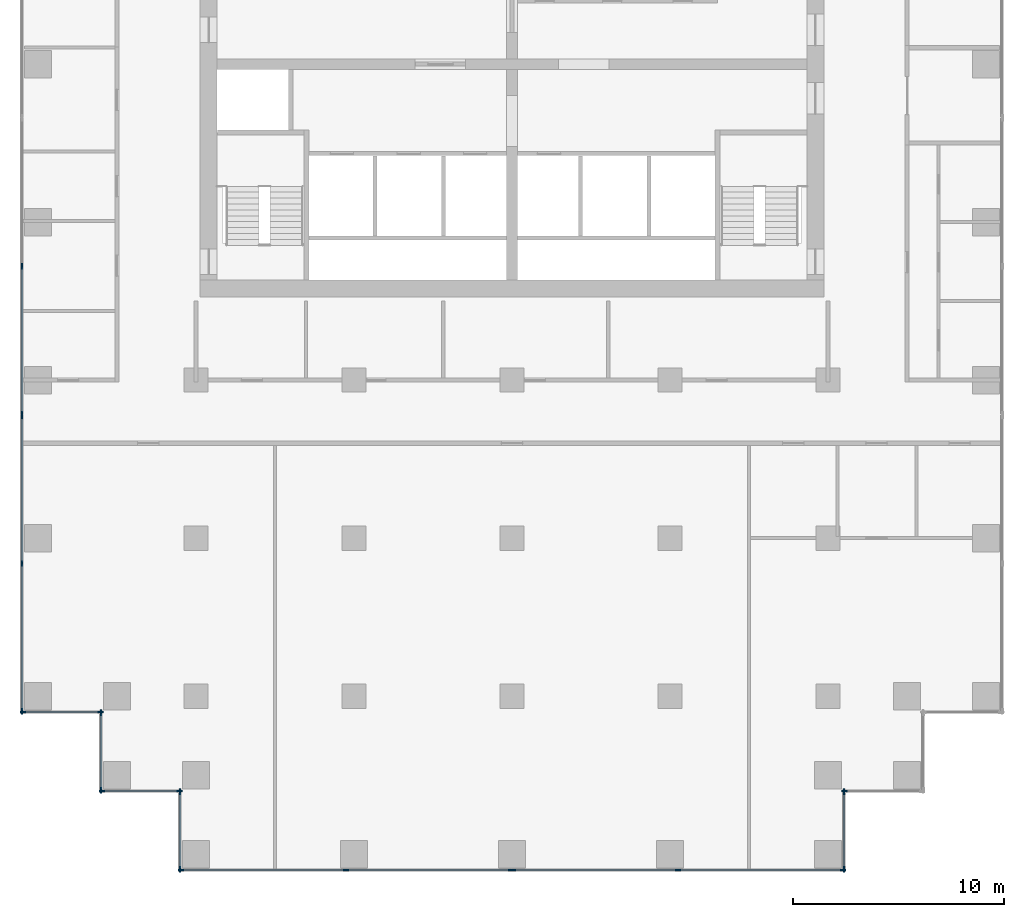
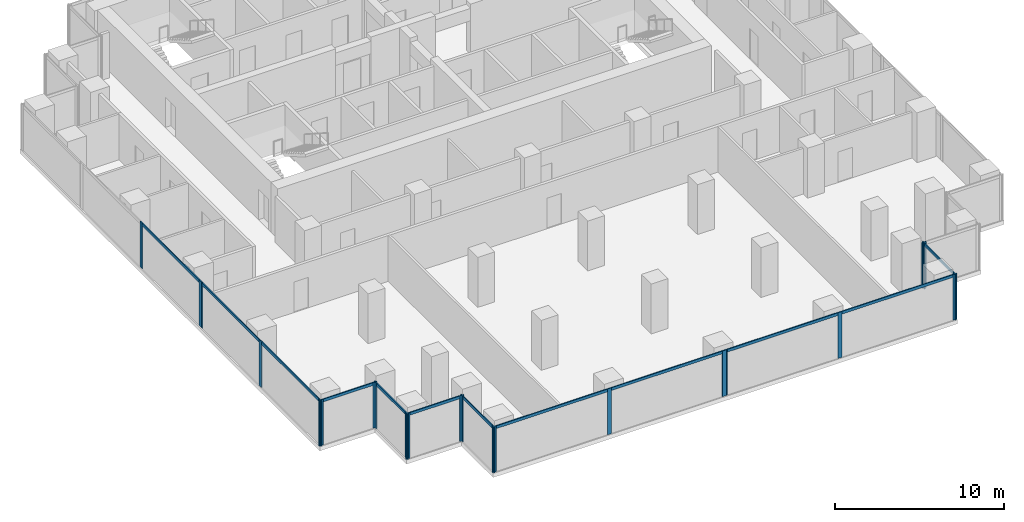
# One storey, part 2 of 10: 34 members, 10 elements without a shape of their own.
"""IFC4 building model written with IfcOpenShell, lengths in metres."""

import ifcopenshell
import ifcopenshell.guid

model = None  # the IFC model being written
_history = None  # IfcOwnerHistory: only IFC2X3 demands one
_inside = {}  # id of a spatial element -> (the spatial element, [elements in it])
_under = {}  # id of a project, library or spatial element -> (it, [spatial elements below it])
_declared = {}  # id of a project -> (the project, [libraries it declares])
_typed = {}  # id of a type object -> (the type object, [elements of that type])
_made_of = {}  # id of a material, layer set ... -> (it, [elements and type objects made of it])


def new_model(schema):
    """Start an empty IFC model of exactly this schema.

    Asked for "IFC4X3", IfcOpenShell would pick the latest addendum, in which some entities
    have other attributes; the version numbers below select the first issue.
    IFC2X3 requires an IfcOwnerHistory on every rooted entity: one is made here for all.
    """
    global model, _history
    if schema == "IFC4X3":
        model = ifcopenshell.file(schema_version=(4, 3, 0, 0))
    else:
        model = ifcopenshell.file(schema=schema)
    _inside.clear()
    _under.clear()
    _declared.clear()
    _typed.clear()
    _made_of.clear()
    _history = None
    if model.schema == "IFC2X3":
        org = make("IfcOrganization", Name="unknown")
        user = make(
            "IfcPersonAndOrganization",
            ThePerson=make("IfcPerson", FamilyName="unknown"),
            TheOrganization=org,
        )
        app = make(
            "IfcApplication",
            ApplicationDeveloper=org,
            Version="unknown",
            ApplicationFullName="unknown",
            ApplicationIdentifier="unknown",
        )
        _history = make(
            "IfcOwnerHistory",
            OwningUser=user,
            OwningApplication=app,
            ChangeAction="ADDED",
            CreationDate=0,
        )
    return model


def make(cls, **values):
    """One entity of the class cls with the attributes given. An attribute that is None is left unset."""
    return model.create_entity(
        cls, **{name: value for name, value in values.items() if value is not None}
    )


def rooted(cls, **values):
    """An entity with a GlobalId (a new one), such as an element, a storey or a relation."""
    return make(cls, GlobalId=ifcopenshell.guid.new(), OwnerHistory=_history, **values)


def si_unit(unit_type, name, prefix=None):
    """IfcSIUnit, for example si_unit("LENGTHUNIT", "METRE", prefix="MILLI")."""
    return make("IfcSIUnit", UnitType=unit_type, Prefix=prefix, Name=name)


def assignment(units):
    """IfcUnitAssignment: the units of a project."""
    return None if units is None else make("IfcUnitAssignment", Units=units)


def point(xyz):
    """IfcCartesianPoint."""
    return None if xyz is None else make("IfcCartesianPoint", Coordinates=xyz)


def direction(xyz):
    """IfcDirection."""
    return None if xyz is None else make("IfcDirection", DirectionRatios=xyz)


def frame(location, z_axis=None, x_axis=None):
    """IfcAxis2Placement3D, a coordinate frame: its origin and axes. An axis left out is left unset."""
    return make(
        "IfcAxis2Placement3D",
        Location=point(location),
        Axis=direction(z_axis),
        RefDirection=direction(x_axis),
    )


def frame_2d(location, x_axis=None):
    """IfcAxis2Placement2D, a coordinate frame in the plane: its origin and x axis."""
    return make(
        "IfcAxis2Placement2D", Location=point(location), RefDirection=direction(x_axis)
    )


def origin():
    """The frame at (0, 0, 0) with its axes left unset."""
    return frame((0.0, 0.0, 0.0))


def origin_2d():
    """The frame at (0, 0) in the plane with its x axis left unset."""
    return frame_2d((0.0, 0.0))


def place(relative_to, where):
    """IfcLocalPlacement: puts the frame where relative to a parent placement (None: the world)."""
    return make(
        "IfcLocalPlacement", PlacementRelTo=relative_to, RelativePlacement=where
    )


def context(
    kind, dimensions, precision=None, world=None, true_north=None, identifier=None
):
    """IfcGeometricRepresentationContext, for example the 3D "Model" context."""
    return make(
        "IfcGeometricRepresentationContext",
        ContextIdentifier=identifier,
        ContextType=kind,
        CoordinateSpaceDimension=dimensions,
        Precision=precision,
        WorldCoordinateSystem=world,
        TrueNorth=true_north,
    )


def subcontext(parent, identifier, kind, view, scale=None):
    """IfcGeometricRepresentationSubContext, for example "Body" below "Model"."""
    return make(
        "IfcGeometricRepresentationSubContext",
        ContextIdentifier=identifier,
        ContextType=kind,
        ParentContext=parent,
        TargetScale=scale,
        TargetView=view,
    )


def project(units=None, contexts=None):
    """IfcProject with its units and contexts."""
    return rooted(
        "IfcProject",
        Name="project",
        RepresentationContexts=contexts,
        UnitsInContext=assignment(units),
    )


def spatial(cls, under=None, at=None, **own):
    """A site, building, storey or space (cls), placed at a placement, below another one or the project."""
    s = rooted(cls, ObjectPlacement=at, **own)
    if under is not None:
        _under.setdefault(under.id(), (under, []))[1].append(s)
    return s


def profile(cls, at=None, kind="AREA", **sizes):
    """A parametric profile (cls). Its sizes go by their IFC names, for example OverallWidth=200.0."""
    return make(cls, ProfileType=kind, Position=at, **sizes)


def rectangle(**sizes):
    """IfcRectangleProfileDef."""
    return profile("IfcRectangleProfileDef", **sizes)


def extrude(swept, where, along, depth):
    """IfcExtrudedAreaSolid: the profile swept, set in the frame where, extruded along a direction by depth."""
    return make(
        "IfcExtrudedAreaSolid",
        SweptArea=swept,
        Position=where,
        ExtrudedDirection=direction(along),
        Depth=depth,
    )


def shape(context_of_items, identifier, shape_type, items):
    """IfcShapeRepresentation: the items that make up one representation, for example the "Body"."""
    return make(
        "IfcShapeRepresentation",
        ContextOfItems=context_of_items,
        RepresentationIdentifier=identifier,
        RepresentationType=shape_type,
        Items=items,
    )


def material(Name=None, Category=None):
    """IfcMaterial."""
    return make("IfcMaterial", Name=Name, Category=Category)


def material_profile(
    of_material, cross_section, Name=None, Category=None, Priority=None
):
    """IfcMaterialProfile: a cross section and its material."""
    return make(
        "IfcMaterialProfile",
        Name=Name,
        Material=of_material,
        Profile=cross_section,
        Priority=Priority,
        Category=Category,
    )


def profile_set(profiles, Name=None, composite=None):
    """IfcMaterialProfileSet."""
    return make(
        "IfcMaterialProfileSet",
        Name=Name,
        MaterialProfiles=profiles,
        CompositeProfile=composite,
    )


def made_of(thing, what):
    """Note that an element or type object is made of a material, layer set ...; save() writes the relation."""
    if what is not None:
        _made_of.setdefault(what.id(), (what, []))[1].append(thing)
    return thing


def type_object(cls, material=None, **own):
    """A type object (cls), such as IfcWallType, which elements share."""
    return made_of(rooted(cls, **own), material)


def element(
    cls,
    number,
    at=None,
    inside=None,
    cuts=None,
    type_object=None,
    material=None,
    context=None,
    identifier="Body",
    shape_type=None,
    held_by="IfcProductDefinitionShape",
    body=None,
    shapes=None,
    **own,
):
    """One element of the class cls, such as IfcWall. Its Tag is "e" and its number.

    at: its placement. inside: the storey or other place that contains it. cuts: it is an
    opening in that element (IfcRelVoidsElement). A single representation is given by context,
    identifier, shape_type and body (its items); several are given by shapes. held_by: the class
    of the entity that holds the representations. save() writes the other relations.
    """
    e = rooted(cls, Tag="e%d" % number, ObjectPlacement=at, **own)
    if body is not None:
        shapes = [shape(context, identifier, shape_type, body)]
    if shapes is not None:
        e.Representation = make(held_by, Representations=shapes)
    if inside is not None:
        _inside.setdefault(inside.id(), (inside, []))[1].append(e)
    if cuts is not None:
        rooted(
            "IfcRelVoidsElement", RelatingBuildingElement=cuts, RelatedOpeningElement=e
        )
    if type_object is not None:
        _typed.setdefault(type_object.id(), (type_object, []))[1].append(e)
    return made_of(e, material)


def aggregate(whole, parts):
    """IfcRelAggregates: a whole, such as a stair, and the parts it consists of."""
    return rooted("IfcRelAggregates", RelatingObject=whole, RelatedObjects=parts)


def save(model, path):
    """Write the relations noted so far, then the file.

    IfcRelAggregates (storeys below a building ...), IfcRelContainedInSpatialStructure (elements
    in a storey), IfcRelDefinesByType, IfcRelAssociatesMaterial and IfcRelDeclares: one each for
    every whole, place, type object, material and project.
    """
    for whole, parts in _under.values():
        aggregate(whole, parts)
    for where, things in _inside.values():
        rooted(
            "IfcRelContainedInSpatialStructure",
            RelatedElements=things,
            RelatingStructure=where,
        )
    for kind, things in _typed.values():
        rooted("IfcRelDefinesByType", RelatedObjects=things, RelatingType=kind)
    for what, things in _made_of.values():
        rooted("IfcRelAssociatesMaterial", RelatedObjects=things, RelatingMaterial=what)
    for by, libraries in _declared.values():
        rooted("IfcRelDeclares", RelatingContext=by, RelatedDefinitions=libraries)
    model.write(path)


model = new_model("IFC4")

# Units and contexts
model_context = context("Model", 3, precision=1e-05, world=origin(), true_north=direction((0.0, 1.0)))
body_context = subcontext(model_context, "Body", "Model", "MODEL_VIEW")
ifc_project = project(units=[si_unit("LENGTHUNIT", "METRE"), si_unit("AREAUNIT", "SQUARE_METRE"), si_unit("VOLUMEUNIT", "CUBIC_METRE"), si_unit("PLANEANGLEUNIT", "RADIAN"), si_unit("MASSUNIT", "GRAM", prefix="KILO")], contexts=[model_context])

# Site, building, storey
site_placement = place(None, origin())
site = spatial("IfcSite", under=ifc_project, at=site_placement, CompositionType="ELEMENT")
building_placement = place(site_placement, origin())
building = spatial("IfcBuilding", under=site, at=building_placement, Name="Pilkhan Gate Tower", CompositionType="ELEMENT")
storey_placement = place(building_placement, frame((0.0, 0.0, 114.39990234375)))
storey = spatial("IfcBuildingStorey", under=building, at=storey_placement, Name="L28", CompositionType="ELEMENT", Elevation=114.39990234375)

# Curtain wall, members
ifc_material_1 = material(Name="Pale anodised aluminium, clear low-iron double glazing", Category="aluminium")
curtain_wall_type = type_object("IfcCurtainWallType", Name="Office unitised curtain wall CW-O1", PredefinedType="USERDEFINED", material=ifc_material_1)
curtain_wall_1_placement = place(storey_placement, origin())
curtain_wall_1 = element("IfcCurtainWall", 1, at=curtain_wall_1_placement, inside=storey, type_object=curtain_wall_type, Name="Office unitised curtain wall CW-O1 L28 W", ObjectType="UNITISED CURTAIN WALL", PredefinedType="USERDEFINED")
ifc_material_2 = material(Name="Pale anodised aluminium", Category="aluminium")
ifc_material_profile_1 = material_profile(ifc_material_2, rectangle(XDim=0.070068359375, YDim=0.27490234375, at=origin_2d()), Name="Mullion 275x70")
ifc_profile_set_1 = profile_set([ifc_material_profile_1], Name="Pale anodised aluminium")
member_type_1 = type_object("IfcMemberType", Name="Mullion CW-O1 275x70", PredefinedType="MULLION", material=ifc_profile_set_1)
member_1_placement = place(storey_placement, frame((51.75, 51.784912109375, 0.0), z_axis=(0.0, 0.0, 1.0), x_axis=(-1.0, 0.0, 0.0)))
member_1 = element("IfcMember", 2, at=member_1_placement, type_object=member_type_1, Name="CW-O1 mullion 1", PredefinedType="MULLION", context=body_context, shape_type="SweptSolid", body=[
    extrude(rectangle(XDim=0.070068359375, YDim=0.27490234375, at=origin_2d()), origin(), (0.0, 0.0, 1.0), 3.300048828125),
])
member_2_placement = place(storey_placement, frame((51.75, 58.800048828125, 0.0), z_axis=(0.0, 0.0, 1.0), x_axis=(-1.0, 0.0, 0.0)))
member_2 = element("IfcMember", 3, at=member_2_placement, type_object=member_type_1, Name="CW-O1 mullion 2", PredefinedType="MULLION", context=body_context, shape_type="SweptSolid", body=[
    extrude(rectangle(XDim=0.070068359375, YDim=0.27490234375, at=origin_2d()), origin(), (0.0, 0.0, 1.0), 3.300048828125),
])
member_3_placement = place(storey_placement, frame((51.75, 65.81494140625, 0.0), z_axis=(0.0, 0.0, 1.0), x_axis=(-1.0, 0.0, 0.0)))
member_3 = element("IfcMember", 4, at=member_3_placement, type_object=member_type_1, Name="CW-O1 mullion 3", PredefinedType="MULLION", context=body_context, shape_type="SweptSolid", body=[
    extrude(rectangle(XDim=0.070068359375, YDim=0.27490234375, at=origin_2d()), origin(), (0.0, 0.0, 1.0), 3.300048828125),
])

curtain_wall_2_placement = place(storey_placement, origin())
curtain_wall_2 = element("IfcCurtainWall", 5, at=curtain_wall_2_placement, inside=storey, type_object=curtain_wall_type, Name="Office unitised curtain wall CW-O1 L28 W", ObjectType="UNITISED CURTAIN WALL", PredefinedType="USERDEFINED")
member_4_placement = place(storey_placement, frame((51.75, 65.885009765625, 0.0), z_axis=(0.0, 0.0, 1.0), x_axis=(-1.0, 0.0, 0.0)))
member_4 = element("IfcMember", 6, at=member_4_placement, type_object=member_type_1, Name="CW-O1 mullion 1", PredefinedType="MULLION", context=body_context, shape_type="SweptSolid", body=[
    extrude(rectangle(XDim=0.070068359375, YDim=0.27490234375, at=origin_2d()), origin(), (0.0, 0.0, 1.0), 3.300048828125),
])
member_5_placement = place(storey_placement, frame((51.75, 72.89990234375, 0.0), z_axis=(0.0, 0.0, 1.0), x_axis=(-1.0, 0.0, 0.0)))
member_5 = element("IfcMember", 7, at=member_5_placement, type_object=member_type_1, Name="CW-O1 mullion 2", PredefinedType="MULLION", context=body_context, shape_type="SweptSolid", body=[
    extrude(rectangle(XDim=0.070068359375, YDim=0.27490234375, at=origin_2d()), origin(), (0.0, 0.0, 1.0), 3.300048828125),
])

curtain_wall_3_placement = place(storey_placement, origin())
curtain_wall_3 = element("IfcCurtainWall", 8, at=curtain_wall_3_placement, inside=storey, type_object=curtain_wall_type, Name="Office unitised curtain wall CW-O1 L28 S", ObjectType="UNITISED CURTAIN WALL", PredefinedType="USERDEFINED")
member_6_placement = place(storey_placement, frame((51.784912109375, 51.75, 0.0), z_axis=(0.0, 0.0, 1.0), x_axis=(0.0, 1.0, 0.0)))
member_6 = element("IfcMember", 9, at=member_6_placement, type_object=member_type_1, Name="CW-O1 mullion 1", PredefinedType="MULLION", context=body_context, shape_type="SweptSolid", body=[
    extrude(rectangle(XDim=0.070068359375, YDim=0.27490234375, at=origin_2d()), origin(), (0.0, 0.0, 1.0), 3.300048828125),
])
member_7_placement = place(storey_placement, frame((55.465087890625, 51.75, 0.0), z_axis=(0.0, 0.0, 1.0), x_axis=(0.0, 1.0, 0.0)))
member_7 = element("IfcMember", 10, at=member_7_placement, type_object=member_type_1, Name="CW-O1 mullion 2", PredefinedType="MULLION", context=body_context, shape_type="SweptSolid", body=[
    extrude(rectangle(XDim=0.070068359375, YDim=0.27490234375, at=origin_2d()), origin(), (0.0, 0.0, 1.0), 3.300048828125),
])

curtain_wall_4_placement = place(storey_placement, origin())
curtain_wall_4 = element("IfcCurtainWall", 11, at=curtain_wall_4_placement, inside=storey, type_object=curtain_wall_type, Name="Office unitised curtain wall CW-O1 L28 W", ObjectType="UNITISED CURTAIN WALL", PredefinedType="USERDEFINED")
member_8_placement = place(storey_placement, frame((55.5, 48.034912109375, 0.0), z_axis=(0.0, 0.0, 1.0), x_axis=(-1.0, 0.0, 0.0)))
member_8 = element("IfcMember", 12, at=member_8_placement, type_object=member_type_1, Name="CW-O1 mullion 1", PredefinedType="MULLION", context=body_context, shape_type="SweptSolid", body=[
    extrude(rectangle(XDim=0.070068359375, YDim=0.27490234375, at=origin_2d()), origin(), (0.0, 0.0, 1.0), 3.300048828125),
])
member_9_placement = place(storey_placement, frame((55.5, 51.715087890625, 0.0), z_axis=(0.0, 0.0, 1.0), x_axis=(-1.0, 0.0, 0.0)))
member_9 = element("IfcMember", 13, at=member_9_placement, type_object=member_type_1, Name="CW-O1 mullion 2", PredefinedType="MULLION", context=body_context, shape_type="SweptSolid", body=[
    extrude(rectangle(XDim=0.070068359375, YDim=0.27490234375, at=origin_2d()), origin(), (0.0, 0.0, 1.0), 3.300048828125),
])

curtain_wall_5_placement = place(storey_placement, origin())
curtain_wall_5 = element("IfcCurtainWall", 14, at=curtain_wall_5_placement, inside=storey, type_object=curtain_wall_type, Name="Office unitised curtain wall CW-O1 L28 S", ObjectType="UNITISED CURTAIN WALL", PredefinedType="USERDEFINED")
member_10_placement = place(storey_placement, frame((55.534912109375, 48.0, 0.0), z_axis=(0.0, 0.0, 1.0), x_axis=(0.0, 1.0, 0.0)))
member_10 = element("IfcMember", 15, at=member_10_placement, type_object=member_type_1, Name="CW-O1 mullion 1", PredefinedType="MULLION", context=body_context, shape_type="SweptSolid", body=[
    extrude(rectangle(XDim=0.070068359375, YDim=0.27490234375, at=origin_2d()), origin(), (0.0, 0.0, 1.0), 3.300048828125),
])
member_11_placement = place(storey_placement, frame((59.215087890625, 48.0, 0.0), z_axis=(0.0, 0.0, 1.0), x_axis=(0.0, 1.0, 0.0)))
member_11 = element("IfcMember", 16, at=member_11_placement, type_object=member_type_1, Name="CW-O1 mullion 2", PredefinedType="MULLION", context=body_context, shape_type="SweptSolid", body=[
    extrude(rectangle(XDim=0.070068359375, YDim=0.27490234375, at=origin_2d()), origin(), (0.0, 0.0, 1.0), 3.300048828125),
])

curtain_wall_6_placement = place(storey_placement, origin())
curtain_wall_6 = element("IfcCurtainWall", 17, at=curtain_wall_6_placement, inside=storey, type_object=curtain_wall_type, Name="Office unitised curtain wall CW-O1 L28 W", ObjectType="UNITISED CURTAIN WALL", PredefinedType="USERDEFINED")
member_12_placement = place(storey_placement, frame((59.25, 44.284912109375, 0.0), z_axis=(0.0, 0.0, 1.0), x_axis=(-1.0, 0.0, 0.0)))
member_12 = element("IfcMember", 18, at=member_12_placement, type_object=member_type_1, Name="CW-O1 mullion 1", PredefinedType="MULLION", context=body_context, shape_type="SweptSolid", body=[
    extrude(rectangle(XDim=0.070068359375, YDim=0.27490234375, at=origin_2d()), origin(), (0.0, 0.0, 1.0), 3.300048828125),
])
member_13_placement = place(storey_placement, frame((59.25, 47.965087890625, 0.0), z_axis=(0.0, 0.0, 1.0), x_axis=(-1.0, 0.0, 0.0)))
member_13 = element("IfcMember", 19, at=member_13_placement, type_object=member_type_1, Name="CW-O1 mullion 2", PredefinedType="MULLION", context=body_context, shape_type="SweptSolid", body=[
    extrude(rectangle(XDim=0.070068359375, YDim=0.27490234375, at=origin_2d()), origin(), (0.0, 0.0, 1.0), 3.300048828125),
])

curtain_wall_7_placement = place(storey_placement, origin())
curtain_wall_7 = element("IfcCurtainWall", 20, at=curtain_wall_7_placement, inside=storey, type_object=curtain_wall_type, Name="Office unitised curtain wall CW-O1 L28 S", ObjectType="UNITISED CURTAIN WALL", PredefinedType="USERDEFINED")
member_14_placement = place(storey_placement, frame((59.284912109375, 44.25, 0.0), z_axis=(0.0, 0.0, 1.0), x_axis=(0.0, 1.0, 0.0)))
member_14 = element("IfcMember", 21, at=member_14_placement, type_object=member_type_1, Name="CW-O1 mullion 1", PredefinedType="MULLION", context=body_context, shape_type="SweptSolid", body=[
    extrude(rectangle(XDim=0.070068359375, YDim=0.27490234375, at=origin_2d()), origin(), (0.0, 0.0, 1.0), 3.300048828125),
])
member_15_placement = place(storey_placement, frame((67.125, 44.25, 0.0), z_axis=(0.0, 0.0, 1.0), x_axis=(0.0, 1.0, 0.0)))
member_15 = element("IfcMember", 22, at=member_15_placement, type_object=member_type_1, Name="CW-O1 mullion 2", PredefinedType="MULLION", context=body_context, shape_type="SweptSolid", body=[
    extrude(rectangle(XDim=0.070068359375, YDim=0.27490234375, at=origin_2d()), origin(), (0.0, 0.0, 1.0), 3.300048828125),
])
member_16_placement = place(storey_placement, frame((74.965087890625, 44.25, 0.0), z_axis=(0.0, 0.0, 1.0), x_axis=(0.0, 1.0, 0.0)))
member_16 = element("IfcMember", 23, at=member_16_placement, type_object=member_type_1, Name="CW-O1 mullion 3", PredefinedType="MULLION", context=body_context, shape_type="SweptSolid", body=[
    extrude(rectangle(XDim=0.070068359375, YDim=0.27490234375, at=origin_2d()), origin(), (0.0, 0.0, 1.0), 3.300048828125),
])

curtain_wall_8_placement = place(storey_placement, origin())
curtain_wall_8 = element("IfcCurtainWall", 24, at=curtain_wall_8_placement, inside=storey, type_object=curtain_wall_type, Name="Office unitised curtain wall CW-O1 L28 S", ObjectType="UNITISED CURTAIN WALL", PredefinedType="USERDEFINED")
member_17_placement = place(storey_placement, frame((75.034912109375, 44.25, 0.0), z_axis=(0.0, 0.0, 1.0), x_axis=(0.0, 1.0, 0.0)))
member_17 = element("IfcMember", 25, at=member_17_placement, type_object=member_type_1, Name="CW-O1 mullion 1", PredefinedType="MULLION", context=body_context, shape_type="SweptSolid", body=[
    extrude(rectangle(XDim=0.070068359375, YDim=0.27490234375, at=origin_2d()), origin(), (0.0, 0.0, 1.0), 3.300048828125),
])
member_18_placement = place(storey_placement, frame((82.875, 44.25, 0.0), z_axis=(0.0, 0.0, 1.0), x_axis=(0.0, 1.0, 0.0)))
member_18 = element("IfcMember", 26, at=member_18_placement, type_object=member_type_1, Name="CW-O1 mullion 2", PredefinedType="MULLION", context=body_context, shape_type="SweptSolid", body=[
    extrude(rectangle(XDim=0.070068359375, YDim=0.27490234375, at=origin_2d()), origin(), (0.0, 0.0, 1.0), 3.300048828125),
])
member_19_placement = place(storey_placement, frame((90.715087890625, 44.25, 0.0), z_axis=(0.0, 0.0, 1.0), x_axis=(0.0, 1.0, 0.0)))
member_19 = element("IfcMember", 27, at=member_19_placement, type_object=member_type_1, Name="CW-O1 mullion 3", PredefinedType="MULLION", context=body_context, shape_type="SweptSolid", body=[
    extrude(rectangle(XDim=0.070068359375, YDim=0.27490234375, at=origin_2d()), origin(), (0.0, 0.0, 1.0), 3.300048828125),
])

curtain_wall_9_placement = place(storey_placement, origin())
curtain_wall_9 = element("IfcCurtainWall", 28, at=curtain_wall_9_placement, inside=storey, type_object=curtain_wall_type, Name="Office unitised curtain wall CW-O1 L28 E", ObjectType="UNITISED CURTAIN WALL", PredefinedType="USERDEFINED")
member_20_placement = place(storey_placement, frame((90.75, 44.284912109375, 0.0), z_axis=(0.0, 0.0, 1.0), x_axis=(-1.0, 0.0, 0.0)))
member_20 = element("IfcMember", 29, at=member_20_placement, type_object=member_type_1, Name="CW-O1 mullion 1", PredefinedType="MULLION", context=body_context, shape_type="SweptSolid", body=[
    extrude(rectangle(XDim=0.070068359375, YDim=0.27490234375, at=origin_2d()), origin(), (0.0, 0.0, 1.0), 3.300048828125),
])
member_21_placement = place(storey_placement, frame((90.75, 47.965087890625, 0.0), z_axis=(0.0, 0.0, 1.0), x_axis=(-1.0, 0.0, 0.0)))
member_21 = element("IfcMember", 30, at=member_21_placement, type_object=member_type_1, Name="CW-O1 mullion 2", PredefinedType="MULLION", context=body_context, shape_type="SweptSolid", body=[
    extrude(rectangle(XDim=0.070068359375, YDim=0.27490234375, at=origin_2d()), origin(), (0.0, 0.0, 1.0), 3.300048828125),
])

# Curtain wall, member
curtain_wall_10_placement = place(storey_placement, origin())
curtain_wall_10 = element("IfcCurtainWall", 31, at=curtain_wall_10_placement, inside=storey, type_object=curtain_wall_type, Name="Office unitised curtain wall CW-O1 L28 S", ObjectType="UNITISED CURTAIN WALL", PredefinedType="USERDEFINED")
member_22_placement = place(storey_placement, frame((90.784912109375, 48.0, 0.0), z_axis=(0.0, 0.0, 1.0), x_axis=(0.0, 1.0, 0.0)))
member_22 = element("IfcMember", 32, at=member_22_placement, type_object=member_type_1, Name="CW-O1 mullion 1", PredefinedType="MULLION", context=body_context, shape_type="SweptSolid", body=[
    extrude(rectangle(XDim=0.070068359375, YDim=0.27490234375, at=origin_2d()), origin(), (0.0, 0.0, 1.0), 3.300048828125),
])
aggregate(curtain_wall_10, [member_22])

# Member
ifc_material_profile_2 = material_profile(ifc_material_2, rectangle(XDim=0.070068359375, YDim=0.199951171875, at=origin_2d()), Name="Transom 200x70")
ifc_profile_set_2 = profile_set([ifc_material_profile_2], Name="Pale anodised aluminium")
member_type_2 = type_object("IfcMemberType", Name="Transom CW-O1 200x70", PredefinedType="USERDEFINED", material=ifc_profile_set_2)
member_23_placement = place(storey_placement, frame((51.75, 51.820068359375, 3.2001953125), z_axis=(0.0, 1.0, 0.0), x_axis=(-1.0, 0.0, 0.0)))
member_23 = element("IfcMember", 33, at=member_23_placement, type_object=member_type_2, Name="CW-O1 transom 1", ObjectType="TRANSOM", PredefinedType="USERDEFINED", context=body_context, shape_type="SweptSolid", body=[
    extrude(rectangle(XDim=0.070068359375, YDim=0.199951171875, at=origin_2d()), origin(), (0.0, 0.0, 1.0), 6.94482421875),
])

member_24_placement = place(storey_placement, frame((51.75, 58.8349609375, 3.2001953125), z_axis=(0.0, 1.0, 0.0), x_axis=(-1.0, 0.0, 0.0)))
member_24 = element("IfcMember", 34, at=member_24_placement, type_object=member_type_2, Name="CW-O1 transom 2", ObjectType="TRANSOM", PredefinedType="USERDEFINED", context=body_context, shape_type="SweptSolid", body=[
    extrude(rectangle(XDim=0.070068359375, YDim=0.199951171875, at=origin_2d()), origin(), (0.0, 0.0, 1.0), 6.945068359375),
])

aggregate(curtain_wall_1, [member_1, member_2, member_3, member_23, member_24])

member_25_placement = place(storey_placement, frame((51.75, 65.919921875, 3.2001953125), z_axis=(0.0, 1.0, 0.0), x_axis=(-1.0, 0.0, 0.0)))
member_25 = element("IfcMember", 35, at=member_25_placement, type_object=member_type_2, Name="CW-O1 transom 1", ObjectType="TRANSOM", PredefinedType="USERDEFINED", context=body_context, shape_type="SweptSolid", body=[
    extrude(rectangle(XDim=0.070068359375, YDim=0.199951171875, at=origin_2d()), origin(), (0.0, 0.0, 1.0), 6.945068359375),
])

aggregate(curtain_wall_2, [member_4, member_5, member_25])

member_26_placement = place(storey_placement, frame((51.820068359375, 51.75, 3.2001953125), z_axis=(1.0, 0.0, 0.0), x_axis=(0.0, 1.0, 0.0)))
member_26 = element("IfcMember", 36, at=member_26_placement, type_object=member_type_2, Name="CW-O1 transom 1", ObjectType="TRANSOM", PredefinedType="USERDEFINED", context=body_context, shape_type="SweptSolid", body=[
    extrude(rectangle(XDim=0.070068359375, YDim=0.199951171875, at=origin_2d()), origin(), (0.0, 0.0, 1.0), 3.60986328125),
])

aggregate(curtain_wall_3, [member_6, member_7, member_26])

member_27_placement = place(storey_placement, frame((55.5, 48.070068359375, 3.2001953125), z_axis=(0.0, 1.0, 0.0), x_axis=(-1.0, 0.0, 0.0)))
member_27 = element("IfcMember", 37, at=member_27_placement, type_object=member_type_2, Name="CW-O1 transom 1", ObjectType="TRANSOM", PredefinedType="USERDEFINED", context=body_context, shape_type="SweptSolid", body=[
    extrude(rectangle(XDim=0.070068359375, YDim=0.199951171875, at=origin_2d()), origin(), (0.0, 0.0, 1.0), 3.60986328125),
])

aggregate(curtain_wall_4, [member_8, member_9, member_27])

member_28_placement = place(storey_placement, frame((55.570068359375, 48.0, 3.2001953125), z_axis=(1.0, 0.0, 0.0), x_axis=(0.0, 1.0, 0.0)))
member_28 = element("IfcMember", 38, at=member_28_placement, type_object=member_type_2, Name="CW-O1 transom 1", ObjectType="TRANSOM", PredefinedType="USERDEFINED", context=body_context, shape_type="SweptSolid", body=[
    extrude(rectangle(XDim=0.070068359375, YDim=0.199951171875, at=origin_2d()), origin(), (0.0, 0.0, 1.0), 3.60986328125),
])

aggregate(curtain_wall_5, [member_10, member_11, member_28])

member_29_placement = place(storey_placement, frame((59.25, 44.320068359375, 3.2001953125), z_axis=(0.0, 1.0, 0.0), x_axis=(-1.0, 0.0, 0.0)))
member_29 = element("IfcMember", 39, at=member_29_placement, type_object=member_type_2, Name="CW-O1 transom 1", ObjectType="TRANSOM", PredefinedType="USERDEFINED", context=body_context, shape_type="SweptSolid", body=[
    extrude(rectangle(XDim=0.070068359375, YDim=0.199951171875, at=origin_2d()), origin(), (0.0, 0.0, 1.0), 3.60986328125),
])

aggregate(curtain_wall_6, [member_12, member_13, member_29])

member_30_placement = place(storey_placement, frame((59.320068359375, 44.25, 3.2001953125), z_axis=(1.0, 0.0, 0.0), x_axis=(0.0, 1.0, 0.0)))
member_30 = element("IfcMember", 40, at=member_30_placement, type_object=member_type_2, Name="CW-O1 transom 1", ObjectType="TRANSOM", PredefinedType="USERDEFINED", context=body_context, shape_type="SweptSolid", body=[
    extrude(rectangle(XDim=0.070068359375, YDim=0.199951171875, at=origin_2d()), origin(), (0.0, 0.0, 1.0), 7.77001953125),
])

member_31_placement = place(storey_placement, frame((67.159912109375, 44.25, 3.2001953125), z_axis=(1.0, 0.0, 0.0), x_axis=(0.0, 1.0, 0.0)))
member_31 = element("IfcMember", 41, at=member_31_placement, type_object=member_type_2, Name="CW-O1 transom 2", ObjectType="TRANSOM", PredefinedType="USERDEFINED", context=body_context, shape_type="SweptSolid", body=[
    extrude(rectangle(XDim=0.070068359375, YDim=0.199951171875, at=origin_2d()), origin(), (0.0, 0.0, 1.0), 7.77001953125),
])

aggregate(curtain_wall_7, [member_14, member_15, member_16, member_30, member_31])

member_32_placement = place(storey_placement, frame((75.070068359375, 44.25, 3.2001953125), z_axis=(1.0, 0.0, 0.0), x_axis=(0.0, 1.0, 0.0)))
member_32 = element("IfcMember", 42, at=member_32_placement, type_object=member_type_2, Name="CW-O1 transom 1", ObjectType="TRANSOM", PredefinedType="USERDEFINED", context=body_context, shape_type="SweptSolid", body=[
    extrude(rectangle(XDim=0.070068359375, YDim=0.199951171875, at=origin_2d()), origin(), (0.0, 0.0, 1.0), 7.77001953125),
])

member_33_placement = place(storey_placement, frame((82.909912109375, 44.25, 3.2001953125), z_axis=(1.0, 0.0, 0.0), x_axis=(0.0, 1.0, 0.0)))
member_33 = element("IfcMember", 43, at=member_33_placement, type_object=member_type_2, Name="CW-O1 transom 2", ObjectType="TRANSOM", PredefinedType="USERDEFINED", context=body_context, shape_type="SweptSolid", body=[
    extrude(rectangle(XDim=0.070068359375, YDim=0.199951171875, at=origin_2d()), origin(), (0.0, 0.0, 1.0), 7.77001953125),
])

aggregate(curtain_wall_8, [member_17, member_18, member_19, member_32, member_33])

member_34_placement = place(storey_placement, frame((90.75, 44.320068359375, 3.2001953125), z_axis=(0.0, 1.0, 0.0), x_axis=(-1.0, 0.0, 0.0)))
member_34 = element("IfcMember", 44, at=member_34_placement, type_object=member_type_2, Name="CW-O1 transom 1", ObjectType="TRANSOM", PredefinedType="USERDEFINED", context=body_context, shape_type="SweptSolid", body=[
    extrude(rectangle(XDim=0.070068359375, YDim=0.199951171875, at=origin_2d()), origin(), (0.0, 0.0, 1.0), 3.60986328125),
])

aggregate(curtain_wall_9, [member_20, member_21, member_34])

save(model, "model.ifc")
